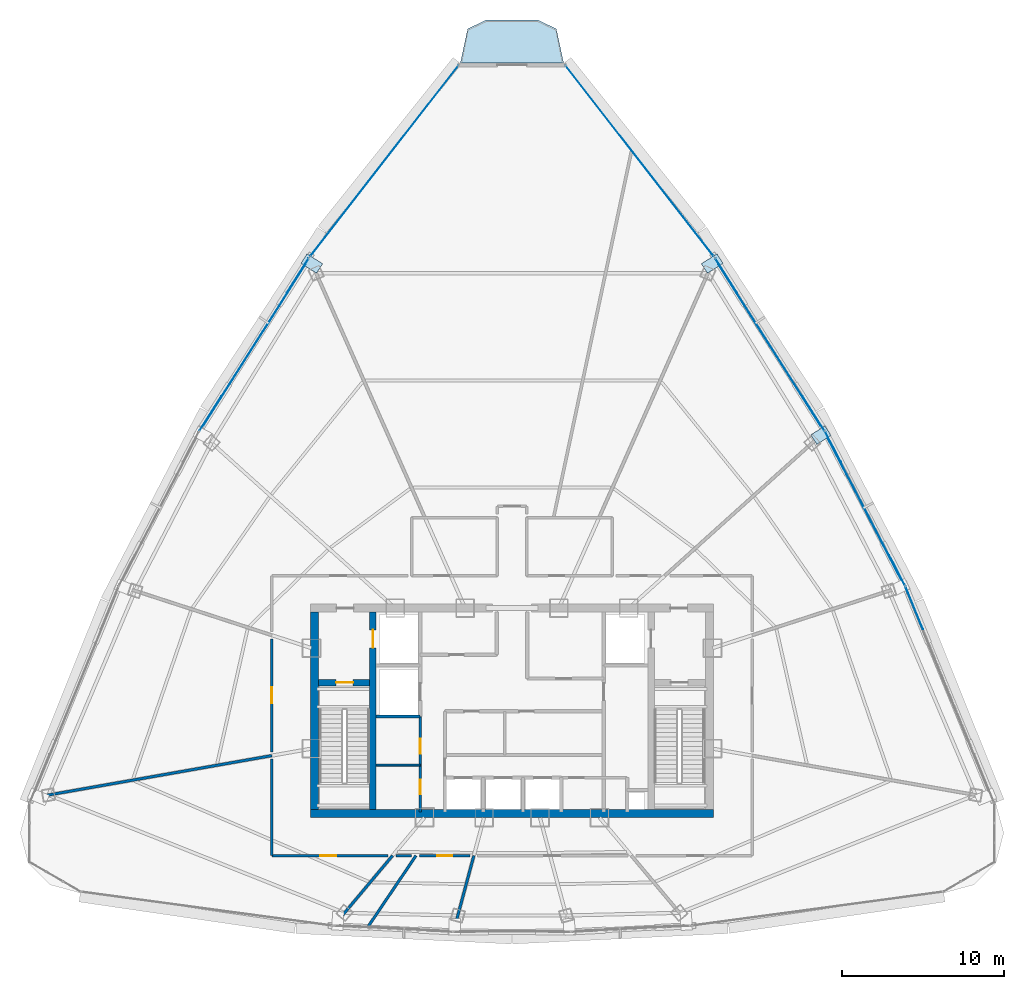
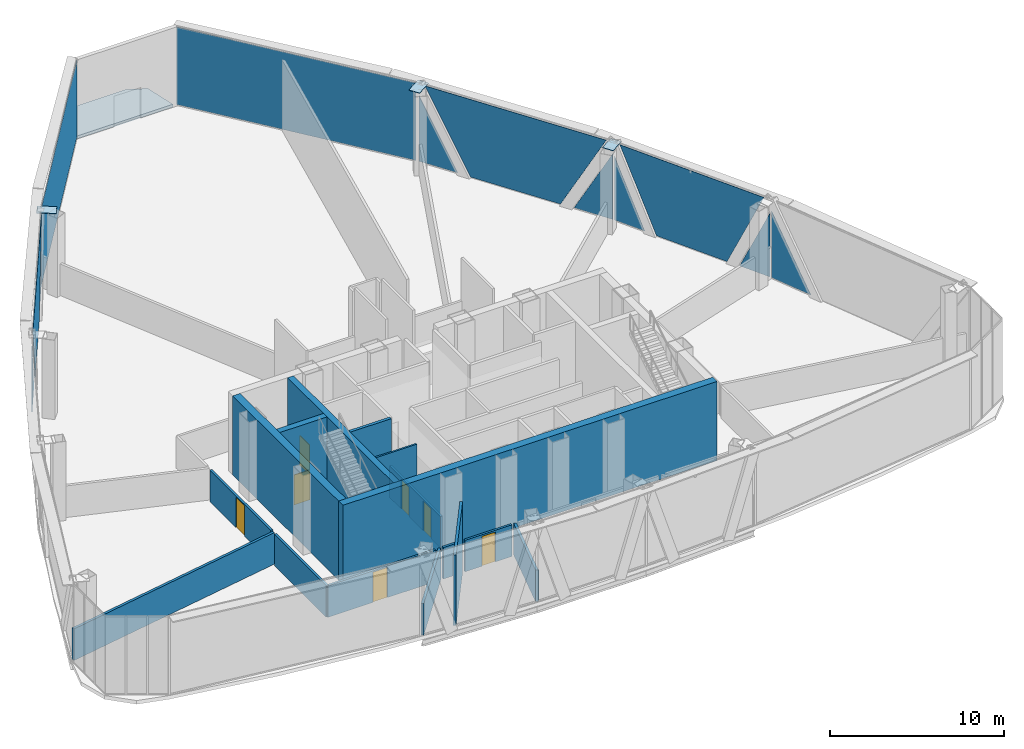
# One storey, part 28 of 33: 16 walls, 15 plates, 7 doors, 1 slab, 7 openings, 6 elements without a shape of their own.
"""IFC4 building model written with IfcOpenShell, lengths in metres."""

from ifc_helpers import new_model, si_unit, direction, frame, frame_2d, origin, origin_with_axes, origin_2d, place, context, subcontext, project, spatial, polyline, rectangle, outline, extrude, source, transform, mapped, material, layer, layer_set, type_object, element, fill, aggregate, save


model = new_model("IFC4")

# Units and contexts
model_context = context("Model", 3, precision=1e-05, world=origin(), true_north=direction((0.0, 1.0)))
body_context = subcontext(model_context, "Body", "Model", "MODEL_VIEW")
ifc_project = project(units=[si_unit("LENGTHUNIT", "METRE"), si_unit("AREAUNIT", "SQUARE_METRE"), si_unit("VOLUMEUNIT", "CUBIC_METRE"), si_unit("PLANEANGLEUNIT", "RADIAN"), si_unit("MASSUNIT", "GRAM", prefix="KILO"), si_unit("THERMODYNAMICTEMPERATUREUNIT", "KELVIN"), si_unit("POWERUNIT", "WATT")], contexts=[model_context])

# Site, building, storey
site_placement = place(None, origin())
site = spatial("IfcSite", under=ifc_project, at=site_placement, CompositionType="ELEMENT")
building_placement = place(site_placement, origin())
building = spatial("IfcBuilding", under=site, at=building_placement, Name="Yunzhuo Pagoda Commons", CompositionType="ELEMENT")
storey_placement = place(building_placement, frame((0.0, 0.0, 314.860107421875)))
storey = spatial("IfcBuildingStorey", under=building, at=storey_placement, Name="L79", CompositionType="ELEMENT", Elevation=314.860107421875)

# Curtain wall, plate
ifc_material_1 = material(Name="Anodized aluminium 6063-T6", Category="aluminium")
ifc_layer_1 = layer(ifc_material_1, 0.139892578125)
ifc_layer_set_1 = layer_set([ifc_layer_1], Name="Anodized aluminium 6063-T6")
curtain_wall_type = type_object("IfcCurtainWallType", Name="CW-HI High-Zone Ribbon Curtain Wall", PredefinedType="NOTDEFINED", material=ifc_layer_set_1)
curtain_wall_1_placement = place(storey_placement, origin())
curtain_wall_1 = element("IfcCurtainWall", 1, at=curtain_wall_1_placement, inside=storey, type_object=curtain_wall_type, Name="L79 curtain wall CW-L79-F2B2", PredefinedType="NOTDEFINED")
ifc_material_2 = material(Name="Tempered low-e double glazing", Category="glass")
ifc_layer_2 = layer(ifc_material_2, 0.02587890625)
ifc_layer_set_2 = layer_set([ifc_layer_2], Name="Tempered low-e double glazing")
plate_type_1 = type_object("IfcPlateType", Name="CW-HI-P Low-E Double Glazing 26", PredefinedType="CURTAIN_PANEL", material=ifc_layer_set_2)
plate_1_placement = place(storey_placement, frame((72.852783203125, 40.2158203125, 2.397705078125), z_axis=(0.924975207531, 0.380027453552, 0.0), x_axis=(-0.380027453552, 0.924975207531, 0.0)))
plate_1 = element("IfcPlate", 2, at=plate_1_placement, type_object=plate_type_1, Name="CW panel 1.1 lite 3", PredefinedType="CURTAIN_PANEL", context=body_context, shape_type="SweptSolid", body=[
    extrude(outline(polyline([(-1.42626953125, -2.3427734375), (1.42626953125, -2.3427734375), (1.42626953125, 2.3427734375), (-1.42626953125, -2.3427734375)])), origin(), (0.0, 0.0, 1.0), 0.028076171875),
])
aggregate(curtain_wall_1, [plate_1])

# Curtain wall, plates
curtain_wall_2_placement = place(storey_placement, origin())
curtain_wall_2 = element("IfcCurtainWall", 3, at=curtain_wall_2_placement, inside=storey, type_object=curtain_wall_type, Name="L79 curtain wall CW-L79-F2B3", PredefinedType="NOTDEFINED")
plate_2_placement = place(storey_placement, frame((71.7861328125, 42.557373046875, 2.29296875), z_axis=(0.887531158433, 0.460747699735, 0.0), x_axis=(-0.460747699735, 0.887531158433, 0.0)))
plate_2 = element("IfcPlate", 4, at=plate_2_placement, type_object=plate_type_1, Name="CW panel 1.1 lite 1", PredefinedType="CURTAIN_PANEL", context=body_context, shape_type="SweptSolid", body=[
    extrude(outline(polyline([(-1.030517578125, -2.238037109375), (1.030517578125, -2.238037109375), (-1.030517578125, 2.238037109375), (-1.030517578125, -2.238037109375)])), origin(), (0.0, 0.0, 1.0), 0.028076171875),
])
plate_3_placement = place(storey_placement, frame((69.788330078125, 46.3408203125, 2.784912109375), z_axis=(0.887531158433, 0.460747699735, 0.0), x_axis=(-0.460747699735, 0.887531158433, 0.0)))
plate_3 = element("IfcPlate", 5, at=plate_3_placement, type_object=plate_type_1, Name="CW panel 1.1 lite 2", PredefinedType="CURTAIN_PANEL", context=body_context, shape_type="SweptSolid", body=[
    extrude(outline(polyline([(-4.92529296875, 2.72998046875), (-2.4111328125, -2.72998046875), (2.4111328125, -2.72998046875), (4.92529296875, 2.72998046875), (-4.92529296875, 2.72998046875)])), origin(), (0.0, 0.0, 1.0), 0.028076171875),
])
plate_4_placement = place(storey_placement, frame((67.84375, 50.15185546875, 2.29296875), z_axis=(0.887531158433, 0.460747699735, 0.0), x_axis=(-0.460747699735, 0.887531158433, 0.0)))
plate_4 = element("IfcPlate", 6, at=plate_4_placement, type_object=plate_type_1, Name="CW panel 1.1 lite 3", PredefinedType="CURTAIN_PANEL", context=body_context, shape_type="SweptSolid", body=[
    extrude(outline(polyline([(-1.030517578125, -2.238037109375), (1.030517578125, -2.238037109375), (1.030517578125, 2.238037109375), (-1.030517578125, -2.238037109375)])), origin(), (0.0, 0.0, 1.0), 0.028076171875),
])
aggregate(curtain_wall_2, [plate_2, plate_3, plate_4])

curtain_wall_3_placement = place(storey_placement, origin())
curtain_wall_3 = element("IfcCurtainWall", 7, at=curtain_wall_3_placement, inside=storey, type_object=curtain_wall_type, Name="L79 curtain wall CW-L79-F2B4", PredefinedType="NOTDEFINED")
plate_5_placement = place(storey_placement, frame((66.635986328125, 52.231201171875, 2.360595703125), z_axis=(0.844512740935, 0.535535461383, 0.0), x_axis=(-0.535535461383, 0.844512740935, 0.0)))
plate_5 = element("IfcPlate", 8, at=plate_5_placement, type_object=plate_type_1, Name="CW panel 1.1 lite 1", PredefinedType="CURTAIN_PANEL", context=body_context, shape_type="SweptSolid", body=[
    extrude(outline(polyline([(-1.2578125, -2.3056640625), (1.2578125, -2.3056640625), (-1.2578125, 2.3056640625), (-1.2578125, -2.3056640625)])), origin(), (0.0, 0.0, 1.0), 0.028076171875),
])
plate_6_placement = place(storey_placement, frame((63.91015625, 56.4736328125, 2.784912109375), z_axis=(0.844512740935, 0.535535461383, 0.0), x_axis=(-0.535535461383, 0.844512740935, 0.0)))
plate_6 = element("IfcPlate", 9, at=plate_6_placement, type_object=plate_type_1, Name="CW panel 1.1 lite 2", PredefinedType="CURTAIN_PANEL", context=body_context, shape_type="SweptSolid", body=[
    extrude(outline(polyline([(-5.897216796875, 2.72998046875), (-2.9189453125, -2.72998046875), (2.9189453125, -2.72998046875), (5.897216796875, 2.72998046875), (-5.897216796875, 2.72998046875)])), origin(), (0.0, 0.0, 1.0), 0.028076171875),
])
plate_7_placement = place(storey_placement, frame((61.235107421875, 60.748046875, 2.360595703125), z_axis=(0.844512740935, 0.535535461383, 0.0), x_axis=(-0.535535461383, 0.844512740935, 0.0)))
plate_7 = element("IfcPlate", 10, at=plate_7_placement, type_object=plate_type_1, Name="CW panel 1.1 lite 3", PredefinedType="CURTAIN_PANEL", context=body_context, shape_type="SweptSolid", body=[
    extrude(outline(polyline([(-1.2578125, -2.3056640625), (1.2578125, -2.3056640625), (1.2578125, 2.3056640625), (-1.2578125, -2.3056640625)])), origin(), (0.0, 0.0, 1.0), 0.028076171875),
])
aggregate(curtain_wall_3, [plate_5, plate_6, plate_7])

curtain_wall_4_placement = place(storey_placement, origin())
curtain_wall_4 = element("IfcCurtainWall", 11, at=curtain_wall_4_placement, inside=storey, type_object=curtain_wall_type, Name="L79 curtain wall CW-L79-F3B2", PredefinedType="NOTDEFINED")
plate_8_placement = place(storey_placement, frame((34.764892578125, 60.748046875, 2.360595703125), z_axis=(-0.844512740935, 0.535535461383, 0.0), x_axis=(-0.535535461383, -0.844512740935, 0.0)))
plate_8 = element("IfcPlate", 12, at=plate_8_placement, type_object=plate_type_1, Name="CW panel 1.1 lite 1", PredefinedType="CURTAIN_PANEL", context=body_context, shape_type="SweptSolid", body=[
    extrude(outline(polyline([(-1.2578125, -2.3056640625), (1.2578125, -2.3056640625), (-1.2578125, 2.3056640625), (-1.2578125, -2.3056640625)])), origin(), (0.0, 0.0, 1.0), 0.028076171875),
])
plate_9_placement = place(storey_placement, frame((32.08984375, 56.4736328125, 2.784912109375), z_axis=(-0.844512740935, 0.535535461383, 0.0), x_axis=(-0.535535461383, -0.844512740935, 0.0)))
plate_9 = element("IfcPlate", 13, at=plate_9_placement, type_object=plate_type_1, Name="CW panel 1.1 lite 2", PredefinedType="CURTAIN_PANEL", context=body_context, shape_type="SweptSolid", body=[
    extrude(outline(polyline([(-5.897216796875, 2.72998046875), (-2.9189453125, -2.72998046875), (2.919189453125, -2.72998046875), (5.897216796875, 2.72998046875), (-5.897216796875, 2.72998046875)])), origin(), (0.0, 0.0, 1.0), 0.028076171875),
])
plate_10_placement = place(storey_placement, frame((29.364013671875, 52.231201171875, 2.360595703125), z_axis=(-0.844512740935, 0.535535461383, 0.0), x_axis=(-0.535535461383, -0.844512740935, 0.0)))
plate_10 = element("IfcPlate", 14, at=plate_10_placement, type_object=plate_type_1, Name="CW panel 1.1 lite 3", PredefinedType="CURTAIN_PANEL", context=body_context, shape_type="SweptSolid", body=[
    extrude(outline(polyline([(-1.2578125, -2.3056640625), (1.2578125, -2.3056640625), (1.2578125, 2.3056640625), (-1.2578125, -2.3056640625)])), origin(), (0.0, 0.0, 1.0), 0.028076171875),
])
aggregate(curtain_wall_4, [plate_8, plate_9, plate_10])

# Slab
ifc_material_3 = material(Name="Concrete C40", Category="concrete")
ifc_layer_3 = layer(ifc_material_3, 0.199951171875)
ifc_layer_set_3 = layer_set([ifc_layer_3], Name="Concrete C40")
slab_type = type_object("IfcSlabType", Name="SL-BAL Vertex Balcony Deck Slab 200", PredefinedType="FLOOR", material=ifc_layer_set_3)
slab_placement = place(storey_placement, frame((0.0, 0.0, -0.2001953125)))
element("IfcSlab", 15, at=slab_placement, inside=storey, type_object=slab_type, Name="L79 corner balcony V3", PredefinedType="FLOOR", context=body_context, shape_type="SweptSolid", body=[
    extrude(outline(polyline([(51.190673828125, 73.9208984375), (44.809326171875, 73.9208984375), (45.25927734375, 76.015869140625), (46.40478515625, 76.56591796875), (49.59521484375, 76.56591796875), (50.74072265625, 76.015869140625), (51.190673828125, 73.9208984375)])), origin(), (0.0, 0.0, 1.0), 0.2001953125),
])

# Plates
ifc_material_4 = material(Name="Structural steel Q355B", Category="steel")
ifc_layer_4 = layer(ifc_material_4, 0.028076171875)
ifc_layer_set_4 = layer_set([ifc_layer_4], Name="Structural steel Q355B")
plate_type_2 = type_object("IfcPlateType", Name="SP-ND1 Lattice Node Cap Plate 800x500x28", PredefinedType="USERDEFINED", material=ifc_layer_set_4)
shared_shape_1 = source(origin(), body_context, "Body", "SweptSolid", [
    extrude(rectangle(XDim=0.699951171875, YDim=1.0361328125, at=origin_2d()), origin(), (0.0, 0.0, 1.0), 0.035888671875),
])
plate_11_placement = place(storey_placement, frame((67.0986328125, 50.896484375, 5.53173828125), z_axis=(0.0, 0.0, 1.0), x_axis=(-0.535532036295, 0.844514912895, 0.0)))
element("IfcPlate", 16, at=plate_11_placement, inside=storey, type_object=plate_type_2, Name="L79 setback lattice tie plate F2.3L", ObjectType="STIFFENER_PLATE", PredefinedType="USERDEFINED", context=body_context, shape_type="MappedRepresentation", body=[
    mapped(shared_shape_1, transform((0.0, 0.0, 0.0), scale=1.0)),
])
shared_shape_2 = source(origin(), body_context, "Body", "SweptSolid", [
    extrude(rectangle(XDim=0.699951171875, YDim=1.14453125, at=origin_2d()), origin(), (0.0, 0.0, 1.0), 0.035888671875),
])
for number, where, z_axis, x_axis, name in (
    (17, (60.3798828125, 61.505615234375, 5.53173828125), (0.0, 0.0, 1.0), (-0.535532036295, 0.844514912895, 0.0), "L79 setback lattice tie plate F2.3R"),
    (18, (35.6201171875, 61.505615234375, 5.53173828125), (0.0, 0.0, 1.0), (-0.535532036295, -0.844514912895, 0.0), "L79 setback lattice tie plate F3.1L"),
):
    element("IfcPlate", number, at=place(storey_placement, frame(where, z_axis=z_axis, x_axis=x_axis)), inside=storey, type_object=plate_type_2, Name=name, ObjectType="STIFFENER_PLATE", PredefinedType="USERDEFINED", context=body_context, shape_type="MappedRepresentation", body=[
        mapped(shared_shape_2, transform((0.0, 0.0, 0.0), scale=1.0)),
    ])

# Curtain wall, plate
curtain_wall_5_placement = place(storey_placement, origin())
curtain_wall_5 = element("IfcCurtainWall", 19, at=curtain_wall_5_placement, inside=storey, type_object=curtain_wall_type, Name="L79 curtain wall CW-L79-F2B5", PredefinedType="NOTDEFINED")
shared_shape_3 = source(origin(), body_context, "Body", "SweptSolid", [
    extrude(rectangle(XDim=14.89453125, YDim=0.028076171875, at=origin_2d()), origin(), (0.0, 0.0, 1.0), 5.4599609375),
])
plate_12_placement = place(storey_placement, frame((55.890625, 67.856689453125, 0.054931640625), z_axis=(0.0, 0.0, 1.0), x_axis=(-0.61338669039, 0.789782734714, 0.0)))
plate_12 = element("IfcPlate", 20, at=plate_12_placement, type_object=plate_type_1, Name="CW panel 1.1", PredefinedType="CURTAIN_PANEL", context=body_context, shape_type="MappedRepresentation", body=[
    mapped(shared_shape_3, transform((0.0, 0.0, 0.0), scale=1.0)),
])
aggregate(curtain_wall_5, [plate_12])

curtain_wall_6_placement = place(storey_placement, origin())
curtain_wall_6 = element("IfcCurtainWall", 21, at=curtain_wall_6_placement, inside=storey, type_object=curtain_wall_type, Name="L79 curtain wall CW-L79-F3B1", PredefinedType="NOTDEFINED")
plate_13_placement = place(storey_placement, frame((40.109375, 67.856689453125, 0.054931640625), z_axis=(0.0, 0.0, 1.0), x_axis=(-0.61338669039, -0.789782734714, 0.0)))
plate_13 = element("IfcPlate", 22, at=plate_13_placement, type_object=plate_type_1, Name="CW panel 1.1", PredefinedType="CURTAIN_PANEL", context=body_context, shape_type="MappedRepresentation", body=[
    mapped(shared_shape_3, transform((0.0, 0.0, 0.0), scale=1.0)),
])
aggregate(curtain_wall_6, [plate_13])

# Walls
ifc_material_5 = material(Name="Concrete C50", Category="concrete")
ifc_layer_5 = layer(ifc_material_5, 0.5)
ifc_layer_set_5 = layer_set([ifc_layer_5], Name="Concrete C50")
wall_type_1 = type_object("IfcWallType", Name="W-C03 Upper Core Shear Wall 500", PredefinedType="SHEAR", material=ifc_layer_set_5)
wall_1_placement = place(storey_placement, frame((35.550048828125, 27.5, 0.0), z_axis=(0.0, 0.0, 1.0), x_axis=(1.0, 0.0, 0.0)))
element("IfcWall", 23, at=wall_1_placement, inside=storey, type_object=wall_type_1, Name="L79 core shear wall S", PredefinedType="SHEAR", context=body_context, shape_type="SweptSolid", body=[
    extrude(rectangle(XDim=24.89990234375, YDim=0.5, at=frame_2d((12.449951171875, 0.0))), origin(), (0.0, 0.0, 1.0), 5.56982421875),
])
wall_2_placement = place(storey_placement, frame((35.800048828125, 27.75, 0.0), z_axis=(0.0, 0.0, 1.0), x_axis=(0.0, 1.0, 0.0)))
element("IfcWall", 24, at=wall_2_placement, inside=storey, type_object=wall_type_1, Name="L79 core shear wall W", PredefinedType="SHEAR", context=body_context, shape_type="SweptSolid", body=[
    extrude(rectangle(XDim=12.199951171875, YDim=0.5, at=frame_2d((6.10009765625, 0.0))), origin(), (0.0, 0.0, 1.0), 5.56982421875),
])

# Wall, openings, doors
ifc_material_6 = material(Name="Gypsum plasterboard on acoustic stud")
ifc_layer_6 = layer(ifc_material_6, 0.14990234375)
ifc_layer_set_6 = layer_set([ifc_layer_6], Name="Gypsum plasterboard on acoustic stud")
wall_type_2 = type_object("IfcWallType", Name="W-COR3 High-Zone Rated Corridor Wall 150", PredefinedType="PARTITIONING", material=ifc_layer_set_6)
wall_3_placement = place(storey_placement, frame((42.320068359375, 27.60009765625, 0.0), z_axis=(0.0, 0.0, 1.0), x_axis=(0.0, 1.0, 0.0)))
wall_3 = element("IfcWall", 25, at=wall_3_placement, inside=storey, type_object=wall_type_2, Name="L79 interior wall IW-L79-CSWE", PredefinedType="PARTITIONING", context=body_context, shape_type="SweptSolid", body=[
    extrude(rectangle(XDim=5.89990234375, YDim=0.14990234375, at=frame_2d((2.949951171875, 0.0))), origin(), (0.0, 0.0, 1.0), 2.219970703125),
])
opening_1_placement = place(wall_3_placement, frame((1.10009765625, 0.0, 0.0)))
opening_1 = element("IfcOpeningElement", 26, at=opening_1_placement, cuts=wall_3, Name="Opening D-03", PredefinedType="OPENING", context=body_context, shape_type="SweptSolid", body=[
    extrude(rectangle(XDim=0.89990234375, YDim=2.10009765625, at=frame_2d((0.449951171875, 1.050048828125))), frame((0.0, 0.0849609375, 0.0), z_axis=(0.0, -1.0, 0.0), x_axis=(1.0, 0.0, 0.0)), (0.0, 0.0, 1.0), 0.169921875),
])
opening_2_placement = place(wall_3_placement, frame((3.60009765625, 0.0, 0.0)))
opening_2 = element("IfcOpeningElement", 27, at=opening_2_placement, cuts=wall_3, Name="Opening D-11", PredefinedType="OPENING", context=body_context, shape_type="SweptSolid", body=[
    extrude(rectangle(XDim=0.93994140625, YDim=2.10009765625, at=frame_2d((0.469970703125, 1.050048828125))), frame((0.0, 0.0849609375, 0.0), z_axis=(0.0, -1.0, 0.0), x_axis=(1.0, 0.0, 0.0)), (0.0, 0.0, 1.0), 0.169921875),
])
ifc_material_7 = material(Name="Galvanized fire-resisting metal leaf")
door_type_1 = type_object("IfcDoorType", Name="D-03 Core Service Fire Door 900x2100", OperationType="NOTDEFINED", PredefinedType="DOOR", material=ifc_material_7)
shared_shape_4 = source(origin(), body_context, "Body", "SweptSolid", [
    extrude(rectangle(XDim=0.89990234375, YDim=2.10009765625, at=frame_2d((0.449951171875, 1.050048828125))), frame((0.0, 0.02490234375, 0.0), z_axis=(0.0, -1.0, 0.0), x_axis=(1.0, 0.0, 0.0)), (0.0, 0.0, 1.0), 0.050048828125),
])
door_1_placement = place(opening_1_placement, origin_with_axes())
door_1 = element("IfcDoor", 28, at=door_1_placement, inside=storey, type_object=door_type_1, Name="L79 housekeeping door", OperationType="SINGLE_SWING_RIGHT", OverallHeight=2.10009765625, OverallWidth=0.89990234375, PredefinedType="DOOR", context=body_context, shape_type="MappedRepresentation", body=[
    mapped(shared_shape_4, transform((0.0, 0.0, 0.0), scale=1.0)),
])
fill(opening_1, door_1)
door_type_2 = type_object("IfcDoorType", Name="D-11 Accessible Washroom Fire Door 940x2100", OperationType="NOTDEFINED", PredefinedType="DOOR", material=ifc_material_7)
shared_shape_5 = source(origin(), body_context, "Body", "SweptSolid", [
    extrude(rectangle(XDim=0.93994140625, YDim=2.10009765625, at=frame_2d((0.469970703125, 1.050048828125))), frame((0.0, 0.02490234375, 0.0), z_axis=(0.0, -1.0, 0.0), x_axis=(1.0, 0.0, 0.0)), (0.0, 0.0, 1.0), 0.050048828125),
])
door_2_placement = place(opening_2_placement, origin_with_axes())
door_2 = element("IfcDoor", 29, at=door_2_placement, inside=storey, type_object=door_type_2, Name="L79 core WC door", OperationType="SINGLE_SWING_RIGHT", OverallHeight=2.10009765625, OverallWidth=0.93994140625, PredefinedType="DOOR", context=body_context, shape_type="MappedRepresentation", body=[
    mapped(shared_shape_5, transform((0.0, 0.0, 0.0), scale=1.0)),
])
fill(opening_2, door_2)

# Wall
wall_4_placement = place(storey_placement, frame((33.14990234375, 24.89990234375, 0.0), z_axis=(0.0, 0.0, 1.0), x_axis=(0.0, 1.0, 0.0)))
element("IfcWall", 30, at=wall_4_placement, inside=storey, type_object=wall_type_2, Name="L79 interior wall IW-L79-CWL01", PredefinedType="PARTITIONING", context=body_context, shape_type="SweptSolid", body=[
    extrude(rectangle(XDim=5.958251953125, YDim=0.14990234375, at=frame_2d((2.97900390625, 0.0))), origin(), (0.0, 0.0, 1.0), 2.219970703125),
])

# Wall, opening, door
wall_5_placement = place(storey_placement, frame((33.14990234375, 31.30126953125, 0.0), z_axis=(0.0, 0.0, 1.0), x_axis=(0.0, 1.0, 0.0)))
wall_5 = element("IfcWall", 31, at=wall_5_placement, inside=storey, type_object=wall_type_2, Name="L79 interior wall IW-L79-CWL02", PredefinedType="PARTITIONING", context=body_context, shape_type="SweptSolid", body=[
    extrude(rectangle(XDim=7.004150390625, YDim=0.14990234375, at=frame_2d((3.501953125, 0.0))), origin(), (0.0, 0.0, 1.0), 2.219970703125),
])
opening_3_placement = place(wall_5_placement, frame((3.027099609375, 0.0, 0.0)))
opening_3 = element("IfcOpeningElement", 32, at=opening_3_placement, cuts=wall_5, Name="Opening D-08", PredefinedType="OPENING", context=body_context, shape_type="SweptSolid", body=[
    extrude(rectangle(XDim=0.97998046875, YDim=2.1201171875, at=frame_2d((0.489990234375, 1.06005859375))), frame((0.0, 0.0849609375, 0.0), z_axis=(0.0, -1.0, 0.0), x_axis=(1.0, 0.0, 0.0)), (0.0, 0.0, 1.0), 0.169921875),
])
door_type_3 = type_object("IfcDoorType", Name="D-08 High-Zone Suite Entrance Fire Door 980x2120", OperationType="NOTDEFINED", PredefinedType="DOOR", material=ifc_material_7)
shared_shape_6 = source(origin(), body_context, "Body", "SweptSolid", [
    extrude(rectangle(XDim=0.97998046875, YDim=2.1201171875, at=frame_2d((0.489990234375, 1.06005859375))), frame((0.0, 0.02490234375, 0.0), z_axis=(0.0, -1.0, 0.0), x_axis=(1.0, 0.0, 0.0)), (0.0, 0.0, 1.0), 0.050048828125),
])
door_3_placement = place(opening_3_placement, origin_with_axes())
door_3 = element("IfcDoor", 33, at=door_3_placement, inside=storey, type_object=door_type_3, Name="L79 unit 07 entrance door", OperationType="SINGLE_SWING_RIGHT", OverallHeight=2.1201171875, OverallWidth=0.97998046875, PredefinedType="DOOR", context=body_context, shape_type="MappedRepresentation", body=[
    mapped(shared_shape_6, transform((0.0, 0.0, 0.0), scale=1.0)),
])
fill(opening_3, door_3)

wall_6_placement = place(storey_placement, frame((45.414306640625, 24.89990234375, 0.0), z_axis=(0.0, 0.0, 1.0), x_axis=(-1.0, 0.0, 0.0)))
wall_6 = element("IfcWall", 34, at=wall_6_placement, inside=storey, type_object=wall_type_2, Name="L79 interior wall IW-L79-CWL15", PredefinedType="PARTITIONING", context=body_context, shape_type="SweptSolid", body=[
    extrude(rectangle(XDim=3.130126953125, YDim=0.14990234375, at=frame_2d((1.56494140625, 0.0))), origin(), (0.0, 0.0, 1.0), 2.219970703125),
])
opening_4_placement = place(wall_6_placement, frame((1.10107421875, 0.0, 0.0)))
opening_4 = element("IfcOpeningElement", 35, at=opening_4_placement, cuts=wall_6, Name="Opening D-04", PredefinedType="OPENING", context=body_context, shape_type="SweptSolid", body=[
    extrude(rectangle(XDim=0.919921875, YDim=2.10009765625, at=frame_2d((0.4599609375, 1.050048828125))), frame((0.0, 0.0849609375, 0.0), z_axis=(0.0, -1.0, 0.0), x_axis=(1.0, 0.0, 0.0)), (0.0, 0.0, 1.0), 0.169921875),
])
ifc_material_8 = material(Name="Powder-coated aluminium and timber acoustic leaf", Category="wood")
door_type_4 = type_object("IfcDoorType", Name="D-04 Bedroom & Study Interior Door 920x2100", OperationType="NOTDEFINED", PredefinedType="DOOR", material=ifc_material_8)
shared_shape_7 = source(origin(), body_context, "Body", "SweptSolid", [
    extrude(rectangle(XDim=0.919921875, YDim=2.10009765625, at=frame_2d((0.4599609375, 1.050048828125))), frame((0.0, 0.02490234375, 0.0), z_axis=(0.0, -1.0, 0.0), x_axis=(1.0, 0.0, 0.0)), (0.0, 0.0, 1.0), 0.050048828125),
])
door_4_placement = place(opening_4_placement, origin_with_axes())
door_4 = element("IfcDoor", 36, at=door_4_placement, inside=storey, type_object=door_type_4, Name="L79 fellow workroom 10 door", OperationType="SINGLE_SWING_LEFT", OverallHeight=2.10009765625, OverallWidth=0.919921875, PredefinedType="DOOR", context=body_context, shape_type="MappedRepresentation", body=[
    mapped(shared_shape_7, transform((0.0, 0.0, 0.0), scale=1.0)),
])
fill(opening_4, door_4)

# Wall
wall_7_placement = place(storey_placement, frame((41.798828125, 24.89990234375, 0.0), z_axis=(0.0, 0.0, 1.0), x_axis=(-1.0, 0.0, 0.0)))
element("IfcWall", 37, at=wall_7_placement, inside=storey, type_object=wall_type_2, Name="L79 interior wall IW-L79-CWL16", PredefinedType="PARTITIONING", context=body_context, shape_type="SweptSolid", body=[
    extrude(rectangle(XDim=0.963134765625, YDim=0.14990234375, at=frame_2d((0.4814453125, 0.0))), origin(), (0.0, 0.0, 1.0), 2.219970703125),
])

# Wall, opening, door
wall_8_placement = place(storey_placement, frame((40.32861328125, 24.89990234375, 0.0), z_axis=(0.0, 0.0, 1.0), x_axis=(-1.0, 0.0, 0.0)))
wall_8 = element("IfcWall", 38, at=wall_8_placement, inside=storey, type_object=wall_type_2, Name="L79 interior wall IW-L79-CWL17", PredefinedType="PARTITIONING", context=body_context, shape_type="SweptSolid", body=[
    extrude(rectangle(XDim=7.1787109375, YDim=0.14990234375, at=frame_2d((3.58935546875, 0.0))), origin(), (0.0, 0.0, 1.0), 2.219970703125),
])
opening_5_placement = place(wall_8_placement, frame((3.20068359375, 0.0, 0.0)))
opening_5 = element("IfcOpeningElement", 39, at=opening_5_placement, cuts=wall_8, Name="Opening D-08", PredefinedType="OPENING", context=body_context, shape_type="SweptSolid", body=[
    extrude(rectangle(XDim=0.97998046875, YDim=2.1201171875, at=frame_2d((0.489990234375, 1.06005859375))), frame((0.0, 0.0849609375, 0.0), z_axis=(0.0, -1.0, 0.0), x_axis=(1.0, 0.0, 0.0)), (0.0, 0.0, 1.0), 0.169921875),
])
door_5_placement = place(opening_5_placement, origin_with_axes())
door_5 = element("IfcDoor", 40, at=door_5_placement, inside=storey, type_object=door_type_3, Name="L79 unit 08 entrance door", OperationType="SINGLE_SWING_LEFT", OverallHeight=2.1201171875, OverallWidth=0.97998046875, PredefinedType="DOOR", context=body_context, shape_type="MappedRepresentation", body=[
    mapped(shared_shape_6, transform((0.0, 0.0, 0.0), scale=1.0)),
])
fill(opening_5, door_5)

# Walls
ifc_layer_7 = layer(ifc_material_6, 0.1201171875)
ifc_layer_set_7 = layer_set([ifc_layer_7], Name="Gypsum plasterboard on acoustic stud")
wall_type_3 = type_object("IfcWallType", Name="W-PRT1 Suite & Bathroom Partition 120", PredefinedType="PARTITIONING", material=ifc_layer_set_7)
wall_9_placement = place(storey_placement, frame((39.60009765625, 30.5, 0.0), z_axis=(0.0, 0.0, 1.0), x_axis=(1.0, 0.0, 0.0)))
element("IfcWall", 41, at=wall_9_placement, inside=storey, type_object=wall_type_3, Name="L79 interior wall IW-L79-CB1", PredefinedType="PARTITIONING", context=body_context, shape_type="SweptSolid", body=[
    extrude(rectangle(XDim=2.719970703125, YDim=0.1201171875, at=frame_2d((1.35986328125, 0.0))), origin(), (0.0, 0.0, 1.0), 5.56982421875),
])
ifc_layer_8 = layer(ifc_material_6, 0.169921875)
ifc_layer_set_8 = layer_set([ifc_layer_8], Name="Gypsum plasterboard on acoustic stud")
wall_type_4 = type_object("IfcWallType", Name="W-PRT4 High-Zone Demising Wall 170", PredefinedType="PARTITIONING", material=ifc_layer_set_8)
wall_10_placement = place(storey_placement, frame((33.14990234375, 31.08154296875, 0.0), z_axis=(0.0, 0.0, 1.0), x_axis=(-0.984808005161, -0.173646747654, 0.0)))
element("IfcWall", 42, at=wall_10_placement, inside=storey, type_object=wall_type_4, Name="L79 interior wall IW-L79-RAD07", PredefinedType="PARTITIONING", context=body_context, shape_type="SweptSolid", body=[
    extrude(rectangle(XDim=15.07470703125, YDim=0.169921875, at=frame_2d((7.537353515625, 0.0))), origin(), (0.0, 0.0, 1.0), 2.219970703125),
])
wall_11_placement = place(storey_placement, frame((40.615966796875, 24.89990234375, 0.0), z_axis=(0.0, 0.0, 1.0), x_axis=(-0.642790029712, -0.76604241247, 0.0)))
element("IfcWall", 43, at=wall_11_placement, inside=storey, type_object=wall_type_4, Name="L79 interior wall IW-L79-RAD08", PredefinedType="PARTITIONING", context=body_context, shape_type="SweptSolid", body=[
    extrude(rectangle(XDim=5.669189453125, YDim=0.169921875, at=frame_2d((2.83447265625, 0.0))), origin(), (0.0, 0.0, 1.0), 2.219970703125),
])
wall_12_placement = place(storey_placement, frame((42.064208984375, 24.89990234375, 0.0), z_axis=(0.0, 0.0, 1.0), x_axis=(-0.559175120789, -0.829049566848, 0.0)))
element("IfcWall", 44, at=wall_12_placement, inside=storey, type_object=wall_type_4, Name="L79 interior wall IW-L79-RAD09", PredefinedType="PARTITIONING", context=body_context, shape_type="SweptSolid", body=[
    extrude(rectangle(XDim=5.366455078125, YDim=0.169921875, at=frame_2d((2.68310546875, 0.0))), origin(), (0.0, 0.0, 1.0), 4.969970703125),
])
wall_13_placement = place(storey_placement, frame((45.64208984375, 24.89990234375, 0.0), z_axis=(0.0, 0.0, 1.0), x_axis=(-0.258835177065, -0.965921503598, 0.0)))
element("IfcWall", 45, at=wall_13_placement, inside=storey, type_object=wall_type_4, Name="L79 interior wall IW-L79-RAD10", PredefinedType="PARTITIONING", context=body_context, shape_type="SweptSolid", body=[
    extrude(rectangle(XDim=4.885009765625, YDim=0.169921875, at=frame_2d((2.4423828125, 0.0))), origin(), (0.0, 0.0, 1.0), 2.219970703125),
])

# Wall, opening, door
ifc_material_9 = material(Name="Concrete C60", Category="concrete")
ifc_layer_9 = layer(ifc_material_9, 0.39990234375)
ifc_layer_set_9 = layer_set([ifc_layer_9], Name="Concrete C60")
wall_type_5 = type_object("IfcWallType", Name="W-S01 Internal Core Shear Web 400", PredefinedType="SHEAR", material=ifc_layer_set_9)
wall_14_placement = place(storey_placement, frame((39.39990234375, 27.75, 0.0), z_axis=(0.0, 0.0, 1.0), x_axis=(0.0, 1.0, 0.0)))
wall_14 = element("IfcWall", 46, at=wall_14_placement, inside=storey, type_object=wall_type_5, Name="L79 core shear wall WEBW", PredefinedType="SHEAR", context=body_context, shape_type="SweptSolid", body=[
    extrude(rectangle(XDim=12.199951171875, YDim=0.39990234375, at=frame_2d((6.10009765625, 0.0))), origin(), (0.0, 0.0, 1.0), 5.56982421875),
])
opening_6_placement = place(wall_14_placement, frame((10.0, 0.0, 0.0)))
opening_6 = element("IfcOpeningElement", 47, at=opening_6_placement, cuts=wall_14, Name="Opening LD-01", PredefinedType="OPENING", context=body_context, shape_type="SweptSolid", body=[
    extrude(rectangle(XDim=1.10009765625, YDim=2.10009765625, at=frame_2d((0.550048828125, 1.050048828125))), frame((0.0, 0.2099609375, 0.0), z_axis=(0.0, -1.0, 0.0), x_axis=(1.0, 0.0, 0.0)), (0.0, 0.0, 1.0), 0.419921875),
])
door_type_5 = type_object("IfcDoorType", Name="LD-01 Firefighting Lift Landing Door 1100x2100", OperationType="DOUBLE_DOOR_SLIDING", PredefinedType="DOOR", material=ifc_material_7)
shared_shape_8 = source(origin(), body_context, "Body", "SweptSolid", [
    extrude(rectangle(XDim=1.10009765625, YDim=2.10009765625, at=frame_2d((0.550048828125, 1.050048828125))), frame((0.0, 0.02490234375, 0.0), z_axis=(0.0, -1.0, 0.0), x_axis=(1.0, 0.0, 0.0)), (0.0, 0.0, 1.0), 0.050048828125),
])
door_6_placement = place(opening_6_placement, frame((1.10009765625, 0.0, 0.0), z_axis=(0.0, 0.0, 1.0), x_axis=(-1.0, 0.0, 0.0)))
door_6 = element("IfcDoor", 48, at=door_6_placement, inside=storey, type_object=door_type_5, Name="L79 Firefighting lift FL-1 landing door", OperationType="DOUBLE_DOOR_SLIDING", OverallHeight=2.10009765625, OverallWidth=1.10009765625, PredefinedType="DOOR", context=body_context, shape_type="MappedRepresentation", body=[
    mapped(shared_shape_8, transform((0.0, 0.0, 0.0), scale=1.0)),
])
fill(opening_6, door_6)

wall_15_placement = place(storey_placement, frame((36.050048828125, 35.60009765625, 0.0), z_axis=(0.0, 0.0, 1.0), x_axis=(1.0, 0.0, 0.0)))
wall_15 = element("IfcWall", 49, at=wall_15_placement, inside=storey, type_object=wall_type_5, Name="L79 core shear wall STW", PredefinedType="SHEAR", context=body_context, shape_type="SweptSolid", body=[
    extrude(rectangle(XDim=3.14990234375, YDim=0.39990234375, at=frame_2d((1.574951171875, 0.0))), origin(), (0.0, 0.0, 1.0), 5.56982421875),
])
opening_7_placement = place(wall_15_placement, frame((1.070068359375, 0.0, 0.0)))
opening_7 = element("IfcOpeningElement", 50, at=opening_7_placement, cuts=wall_15, Name="Opening D-01", PredefinedType="OPENING", context=body_context, shape_type="SweptSolid", body=[
    extrude(rectangle(XDim=1.050048828125, YDim=2.10009765625, at=frame_2d((0.52490234375, 1.050048828125))), frame((0.0, 0.2099609375, 0.0), z_axis=(0.0, -1.0, 0.0), x_axis=(1.0, 0.0, 0.0)), (0.0, 0.0, 1.0), 0.419921875),
])
door_type_6 = type_object("IfcDoorType", Name="D-01 Smokeproof Stair Fire Door 1050x2100", OperationType="NOTDEFINED", PredefinedType="DOOR", material=ifc_material_7)
shared_shape_9 = source(origin(), body_context, "Body", "SweptSolid", [
    extrude(rectangle(XDim=1.050048828125, YDim=2.10009765625, at=frame_2d((0.52490234375, 1.050048828125))), frame((0.0, 0.02490234375, 0.0), z_axis=(0.0, -1.0, 0.0), x_axis=(1.0, 0.0, 0.0)), (0.0, 0.0, 1.0), 0.050048828125),
])
door_7_placement = place(opening_7_placement, frame((1.050048828125, 0.0, 0.0), z_axis=(0.0, 0.0, 1.0), x_axis=(-1.0, 0.0, 0.0)))
door_7 = element("IfcDoor", 51, at=door_7_placement, inside=storey, type_object=door_type_6, Name="L79 Stair ST1 fire door", OperationType="SINGLE_SWING_LEFT", OverallHeight=2.10009765625, OverallWidth=1.050048828125, PredefinedType="DOOR", context=body_context, shape_type="MappedRepresentation", body=[
    mapped(shared_shape_9, transform((0.0, 0.0, 0.0), scale=1.0)),
])
fill(opening_7, door_7)

# Wall
ifc_layer_10 = layer(ifc_material_3, 0.199951171875)
ifc_layer_set_10 = layer_set([ifc_layer_10], Name="Concrete C40")
wall_type_6 = type_object("IfcWallType", Name="W-SHF Shaft & Stair Enclosure Wall 200", PredefinedType="SOLIDWALL", material=ifc_layer_set_10)
wall_16_placement = place(storey_placement, frame((39.60009765625, 33.5, 0.0), z_axis=(0.0, 0.0, 1.0), x_axis=(1.0, 0.0, 0.0)))
element("IfcWall", 52, at=wall_16_placement, inside=storey, type_object=wall_type_6, Name="L79 interior wall IW-L79-SL1S", PredefinedType="SOLIDWALL", context=body_context, shape_type="SweptSolid", body=[
    extrude(rectangle(XDim=2.719970703125, YDim=0.199951171875, at=frame_2d((1.35986328125, 0.0))), origin(), (0.0, 0.0, 1.0), 5.56982421875),
])

save(model, "model.ifc")
